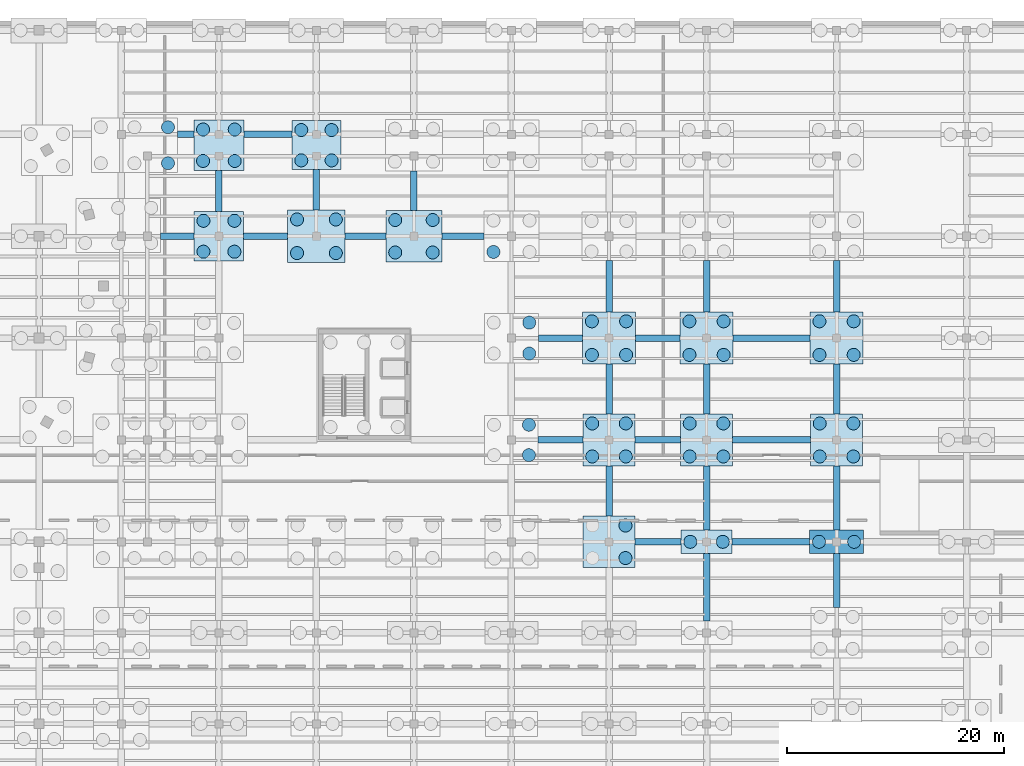
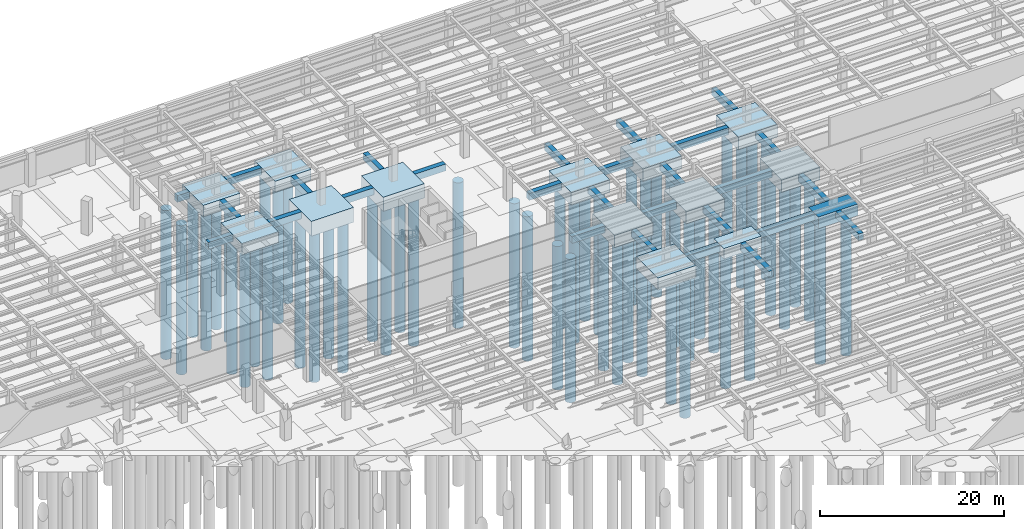
# One storey, part 12 of 49: 57 piles, 42 footings.
"""IFC4 building model written with IfcOpenShell, lengths in metres."""

from ifc_helpers import new_model, si_unit, direction, frame, origin, origin_2d, place, context, subcontext, project, spatial, rectangle, circle, extrude, material, material_profile, profile_set, type_object, element, save


model = new_model("IFC4")

# Units and contexts
model_context = context("Model", 3, precision=1e-05, world=origin(), true_north=direction((0.0, 1.0)))
body_context = subcontext(model_context, "Body", "Model", "MODEL_VIEW")
ifc_project = project(units=[si_unit("LENGTHUNIT", "METRE"), si_unit("AREAUNIT", "SQUARE_METRE"), si_unit("VOLUMEUNIT", "CUBIC_METRE"), si_unit("PLANEANGLEUNIT", "RADIAN"), si_unit("MASSUNIT", "GRAM", prefix="KILO")], contexts=[model_context])

# Site, building, storey
site_placement = place(None, origin())
site = spatial("IfcSite", under=ifc_project, at=site_placement, CompositionType="ELEMENT")
building_placement = place(site_placement, origin())
building = spatial("IfcBuilding", under=site, at=building_placement, Name="Sollismere Congress Hotel", CompositionType="ELEMENT")
storey_placement = place(building_placement, frame((0.0, 0.0, -4.5)))
storey = spatial("IfcBuildingStorey", under=building, at=storey_placement, Name="B1", CompositionType="ELEMENT", Elevation=-4.5)

# Footings
ifc_material = material(Name="Concrete C40/50", Category="concrete")
footing_type_1 = type_object("IfcFootingType", Name="FT-GB600", PredefinedType="FOOTING_BEAM", material=ifc_material)
footing_1_placement = place(storey_placement, frame((107.510009765625, 66.800048828125, -0.89990234375), z_axis=(0.0, 0.0, 1.0), x_axis=(1.0, 0.0, 0.0)))
element("IfcFooting", 1, at=footing_1_placement, inside=storey, type_object=footing_type_1, Name="FTG-GB-125", PredefinedType="FOOTING_BEAM", context=body_context, shape_type="SweptSolid", body=[
    extrude(rectangle(XDim=4.260009765625, YDim=0.60009765625, at=origin_2d()), origin(), (0.0, 0.0, 1.0), 0.89990234375),
])
footing_2_placement = place(storey_placement, frame((117.93994140625, 66.800048828125, -0.89990234375), z_axis=(0.0, 0.0, 1.0), x_axis=(1.0, 0.0, 0.0)))
element("IfcFooting", 2, at=footing_2_placement, inside=storey, type_object=footing_type_1, Name="FTG-GB-126", PredefinedType="FOOTING_BEAM", context=body_context, shape_type="SweptSolid", body=[
    extrude(rectangle(XDim=7.159912109375, YDim=0.60009765625, at=origin_2d()), origin(), (0.0, 0.0, 1.0), 0.89990234375),
])
footing_3_placement = place(storey_placement, frame((98.530029296875, 76.199951171875, -0.89990234375), z_axis=(0.0, 0.0, 1.0), x_axis=(1.0, 0.0, 0.0)))
element("IfcFooting", 3, at=footing_3_placement, inside=storey, type_object=footing_type_1, Name="FTG-GB-141", PredefinedType="FOOTING_BEAM", context=body_context, shape_type="SweptSolid", body=[
    extrude(rectangle(XDim=4.1201171875, YDim=0.60009765625, at=origin_2d()), origin(), (0.0, 0.0, 1.0), 0.89990234375),
])
footing_4_placement = place(storey_placement, frame((107.5, 76.199951171875, -0.89990234375), z_axis=(0.0, 0.0, 1.0), x_axis=(1.0, 0.0, 0.0)))
element("IfcFooting", 4, at=footing_4_placement, inside=storey, type_object=footing_type_1, Name="FTG-GB-142", PredefinedType="FOOTING_BEAM", context=body_context, shape_type="SweptSolid", body=[
    extrude(rectangle(XDim=4.179931640625, YDim=0.60009765625, at=origin_2d()), origin(), (0.0, 0.0, 1.0), 0.89990234375),
])
footing_5_placement = place(storey_placement, frame((118.0, 76.199951171875, -0.89990234375), z_axis=(0.0, 0.0, 1.0), x_axis=(1.0, 0.0, 0.0)))
element("IfcFooting", 5, at=footing_5_placement, inside=storey, type_object=footing_type_1, Name="FTG-GB-143", PredefinedType="FOOTING_BEAM", context=body_context, shape_type="SweptSolid", body=[
    extrude(rectangle(XDim=7.179931640625, YDim=0.60009765625, at=origin_2d()), origin(), (0.0, 0.0, 1.0), 0.89990234375),
])
footing_6_placement = place(storey_placement, frame((98.530029296875, 85.60009765625, -0.89990234375), z_axis=(0.0, 0.0, 1.0), x_axis=(1.0, 0.0, 0.0)))
element("IfcFooting", 6, at=footing_6_placement, inside=storey, type_object=footing_type_1, Name="FTG-GB-157", PredefinedType="FOOTING_BEAM", context=body_context, shape_type="SweptSolid", body=[
    extrude(rectangle(XDim=4.06005859375, YDim=0.60009765625, at=origin_2d()), origin(), (0.0, 0.0, 1.0), 0.89990234375),
])
footing_7_placement = place(storey_placement, frame((107.5, 85.60009765625, -0.89990234375), z_axis=(0.0, 0.0, 1.0), x_axis=(1.0, 0.0, 0.0)))
element("IfcFooting", 7, at=footing_7_placement, inside=storey, type_object=footing_type_1, Name="FTG-GB-158", PredefinedType="FOOTING_BEAM", context=body_context, shape_type="SweptSolid", body=[
    extrude(rectangle(XDim=4.1201171875, YDim=0.60009765625, at=origin_2d()), origin(), (0.0, 0.0, 1.0), 0.89990234375),
])
footing_8_placement = place(storey_placement, frame((118.0, 85.60009765625, -0.89990234375), z_axis=(0.0, 0.0, 1.0), x_axis=(1.0, 0.0, 0.0)))
element("IfcFooting", 8, at=footing_8_placement, inside=storey, type_object=footing_type_1, Name="FTG-GB-159", PredefinedType="FOOTING_BEAM", context=body_context, shape_type="SweptSolid", body=[
    extrude(rectangle(XDim=7.1201171875, YDim=0.60009765625, at=origin_2d()), origin(), (0.0, 0.0, 1.0), 0.89990234375),
])
footing_9_placement = place(storey_placement, frame((63.162841796875, 95.0, -0.89990234375), z_axis=(0.0, 0.0, 1.0), x_axis=(1.0, 0.0, 0.0)))
element("IfcFooting", 9, at=footing_9_placement, inside=storey, type_object=footing_type_1, Name="FTG-GB-170", PredefinedType="FOOTING_BEAM", context=body_context, shape_type="SweptSolid", body=[
    extrude(rectangle(XDim=3.09423828125, YDim=0.60009765625, at=origin_2d()), origin(), (0.0, 0.0, 1.0), 0.89990234375),
])
footing_10_placement = place(storey_placement, frame((71.320068359375, 95.0, -0.89990234375), z_axis=(0.0, 0.0, 1.0), x_axis=(1.0, 0.0, 0.0)))
element("IfcFooting", 10, at=footing_10_placement, inside=storey, type_object=footing_type_1, Name="FTG-GB-171", PredefinedType="FOOTING_BEAM", context=body_context, shape_type="SweptSolid", body=[
    extrude(rectangle(XDim=4.06005859375, YDim=0.60009765625, at=origin_2d()), origin(), (0.0, 0.0, 1.0), 0.89990234375),
])
footing_11_placement = place(storey_placement, frame((80.530029296875, 95.0, -0.89990234375), z_axis=(0.0, 0.0, 1.0), x_axis=(1.0, 0.0, 0.0)))
element("IfcFooting", 11, at=footing_11_placement, inside=storey, type_object=footing_type_1, Name="FTG-GB-172", PredefinedType="FOOTING_BEAM", context=body_context, shape_type="SweptSolid", body=[
    extrude(rectangle(XDim=3.760009765625, YDim=0.60009765625, at=origin_2d()), origin(), (0.0, 0.0, 1.0), 0.89990234375),
])
footing_12_placement = place(storey_placement, frame((89.530029296875, 95.0, -0.89990234375), z_axis=(0.0, 0.0, 1.0), x_axis=(1.0, 0.0, 0.0)))
element("IfcFooting", 12, at=footing_12_placement, inside=storey, type_object=footing_type_1, Name="FTG-GB-173", PredefinedType="FOOTING_BEAM", context=body_context, shape_type="SweptSolid", body=[
    extrude(rectangle(XDim=3.8798828125, YDim=0.60009765625, at=origin_2d()), origin(), (0.0, 0.0, 1.0), 0.89990234375),
])
footing_13_placement = place(storey_placement, frame((63.919921875, 104.39990234375, -0.89990234375), z_axis=(0.0, 0.0, 1.0), x_axis=(1.0, 0.0, 0.0)))
element("IfcFooting", 13, at=footing_13_placement, inside=storey, type_object=footing_type_1, Name="FTG-GB-188", PredefinedType="FOOTING_BEAM", context=body_context, shape_type="SweptSolid", body=[
    extrude(rectangle(XDim=1.52001953125, YDim=0.60009765625, at=origin_2d()), origin(), (0.0, 0.0, 1.0), 0.89990234375),
])
footing_14_placement = place(storey_placement, frame((71.530029296875, 104.39990234375, -0.89990234375), z_axis=(0.0, 0.0, 1.0), x_axis=(1.0, 0.0, 0.0)))
element("IfcFooting", 14, at=footing_14_placement, inside=storey, type_object=footing_type_1, Name="FTG-GB-189", PredefinedType="FOOTING_BEAM", context=body_context, shape_type="SweptSolid", body=[
    extrude(rectangle(XDim=4.419921875, YDim=0.60009765625, at=origin_2d()), origin(), (0.0, 0.0, 1.0), 0.89990234375),
])
footing_15_placement = place(storey_placement, frame((67.0, 99.1875, -0.89990234375), z_axis=(0.0, 0.0, 1.0), x_axis=(0.0, 1.0, 0.0)))
element("IfcFooting", 15, at=footing_15_placement, inside=storey, type_object=footing_type_1, Name="FTG-GB-324", PredefinedType="FOOTING_BEAM", context=body_context, shape_type="SweptSolid", body=[
    extrude(rectangle(XDim=3.804931640625, YDim=0.60009765625, at=origin_2d()), origin(), (0.0, 0.0, 1.0), 0.89990234375),
])
footing_16_placement = place(storey_placement, frame((76.0, 99.27490234375, -0.89990234375), z_axis=(0.0, 0.0, 1.0), x_axis=(0.0, 1.0, 0.0)))
element("IfcFooting", 16, at=footing_16_placement, inside=storey, type_object=footing_type_1, Name="FTG-GB-334", PredefinedType="FOOTING_BEAM", context=body_context, shape_type="SweptSolid", body=[
    extrude(rectangle(XDim=3.72998046875, YDim=0.60009765625, at=origin_2d()), origin(), (0.0, 0.0, 1.0), 0.89990234375),
])
footing_17_placement = place(storey_placement, frame((85.0, 99.1875, -0.89990234375), z_axis=(0.0, 0.0, 1.0), x_axis=(0.0, 1.0, 0.0)))
element("IfcFooting", 17, at=footing_17_placement, inside=storey, type_object=footing_type_1, Name="FTG-GB-344", PredefinedType="FOOTING_BEAM", context=body_context, shape_type="SweptSolid", body=[
    extrude(rectangle(XDim=3.655029296875, YDim=0.60009765625, at=origin_2d()), origin(), (0.0, 0.0, 1.0), 0.89990234375),
])
footing_18_placement = place(storey_placement, frame((103.0, 71.487548828125, -0.89990234375), z_axis=(0.0, 0.0, 1.0), x_axis=(0.0, 1.0, 0.0)))
element("IfcFooting", 18, at=footing_18_placement, inside=storey, type_object=footing_type_1, Name="FTG-GB-365", PredefinedType="FOOTING_BEAM", context=body_context, shape_type="SweptSolid", body=[
    extrude(rectangle(XDim=4.655029296875, YDim=0.60009765625, at=origin_2d()), origin(), (0.0, 0.0, 1.0), 0.89990234375),
])
footing_19_placement = place(storey_placement, frame((103.0, 80.887451171875, -0.89990234375), z_axis=(0.0, 0.0, 1.0), x_axis=(0.0, 1.0, 0.0)))
element("IfcFooting", 19, at=footing_19_placement, inside=storey, type_object=footing_type_1, Name="FTG-GB-366", PredefinedType="FOOTING_BEAM", context=body_context, shape_type="SweptSolid", body=[
    extrude(rectangle(XDim=4.60498046875, YDim=0.60009765625, at=origin_2d()), origin(), (0.0, 0.0, 1.0), 0.89990234375),
])
footing_20_placement = place(storey_placement, frame((103.0, 90.375, -0.89990234375), z_axis=(0.0, 0.0, 1.0), x_axis=(0.0, 1.0, 0.0)))
element("IfcFooting", 20, at=footing_20_placement, inside=storey, type_object=footing_type_1, Name="FTG-GB-367", PredefinedType="FOOTING_BEAM", context=body_context, shape_type="SweptSolid", body=[
    extrude(rectangle(XDim=4.72998046875, YDim=0.60009765625, at=origin_2d()), origin(), (0.0, 0.0, 1.0), 0.89990234375),
])
footing_21_placement = place(storey_placement, frame((112.0, 62.58740234375, -0.89990234375), z_axis=(0.0, 0.0, 1.0), x_axis=(0.0, 1.0, 0.0)))
element("IfcFooting", 21, at=footing_21_placement, inside=storey, type_object=footing_type_1, Name="FTG-GB-377", PredefinedType="FOOTING_BEAM", context=body_context, shape_type="SweptSolid", body=[
    extrude(rectangle(XDim=6.22509765625, YDim=0.60009765625, at=origin_2d()), origin(), (0.0, 0.0, 1.0), 0.89990234375),
])
footing_22_placement = place(storey_placement, frame((112.0, 70.857421875, -0.89990234375), z_axis=(0.0, 0.0, 1.0), x_axis=(0.0, 1.0, 0.0)))
element("IfcFooting", 22, at=footing_22_placement, inside=storey, type_object=footing_type_1, Name="FTG-GB-378", PredefinedType="FOOTING_BEAM", context=body_context, shape_type="SweptSolid", body=[
    extrude(rectangle(XDim=5.9150390625, YDim=0.60009765625, at=origin_2d()), origin(), (0.0, 0.0, 1.0), 0.89990234375),
])
footing_23_placement = place(storey_placement, frame((112.0, 80.887451171875, -0.89990234375), z_axis=(0.0, 0.0, 1.0), x_axis=(0.0, 1.0, 0.0)))
element("IfcFooting", 23, at=footing_23_placement, inside=storey, type_object=footing_type_1, Name="FTG-GB-379", PredefinedType="FOOTING_BEAM", context=body_context, shape_type="SweptSolid", body=[
    extrude(rectangle(XDim=4.60498046875, YDim=0.60009765625, at=origin_2d()), origin(), (0.0, 0.0, 1.0), 0.89990234375),
])
footing_24_placement = place(storey_placement, frame((112.0, 90.375, -0.89990234375), z_axis=(0.0, 0.0, 1.0), x_axis=(0.0, 1.0, 0.0)))
element("IfcFooting", 24, at=footing_24_placement, inside=storey, type_object=footing_type_1, Name="FTG-GB-380", PredefinedType="FOOTING_BEAM", context=body_context, shape_type="SweptSolid", body=[
    extrude(rectangle(XDim=4.72998046875, YDim=0.60009765625, at=origin_2d()), origin(), (0.0, 0.0, 1.0), 0.89990234375),
])
footing_25_placement = place(storey_placement, frame((124.0, 63.22998046875, -0.89990234375), z_axis=(0.0, 0.0, 1.0), x_axis=(0.0, 1.0, 0.0)))
element("IfcFooting", 25, at=footing_25_placement, inside=storey, type_object=footing_type_1, Name="FTG-GB-390", PredefinedType="FOOTING_BEAM", context=body_context, shape_type="SweptSolid", body=[
    extrude(rectangle(XDim=4.989990234375, YDim=0.60009765625, at=origin_2d()), origin(), (0.0, 0.0, 1.0), 0.89990234375),
])
footing_26_placement = place(storey_placement, frame((124.0, 70.844970703125, -0.89990234375), z_axis=(0.0, 0.0, 1.0), x_axis=(0.0, 1.0, 0.0)))
element("IfcFooting", 26, at=footing_26_placement, inside=storey, type_object=footing_type_1, Name="FTG-GB-391", PredefinedType="FOOTING_BEAM", context=body_context, shape_type="SweptSolid", body=[
    extrude(rectangle(XDim=5.93994140625, YDim=0.60009765625, at=origin_2d()), origin(), (0.0, 0.0, 1.0), 0.89990234375),
])
footing_27_placement = place(storey_placement, frame((124.0, 80.887451171875, -0.89990234375), z_axis=(0.0, 0.0, 1.0), x_axis=(0.0, 1.0, 0.0)))
element("IfcFooting", 27, at=footing_27_placement, inside=storey, type_object=footing_type_1, Name="FTG-GB-392", PredefinedType="FOOTING_BEAM", context=body_context, shape_type="SweptSolid", body=[
    extrude(rectangle(XDim=4.60498046875, YDim=0.60009765625, at=origin_2d()), origin(), (0.0, 0.0, 1.0), 0.89990234375),
])
footing_28_placement = place(storey_placement, frame((124.0, 90.375, -0.89990234375), z_axis=(0.0, 0.0, 1.0), x_axis=(0.0, 1.0, 0.0)))
element("IfcFooting", 28, at=footing_28_placement, inside=storey, type_object=footing_type_1, Name="FTG-GB-393", PredefinedType="FOOTING_BEAM", context=body_context, shape_type="SweptSolid", body=[
    extrude(rectangle(XDim=4.72998046875, YDim=0.60009765625, at=origin_2d()), origin(), (0.0, 0.0, 1.0), 0.89990234375),
])
footing_type_2 = type_object("IfcFootingType", Name="FT-PC2-03", PredefinedType="PILE_CAP", material=ifc_material)
footing_29_placement = place(storey_placement, frame((112.0, 66.800048828125, -1.3798828125), z_axis=(0.0, 0.0, 1.0), x_axis=(1.0, 0.0, 0.0)))
element("IfcFooting", 29, at=footing_29_placement, inside=storey, type_object=footing_type_2, Name="Reinforced concrete pile cap PC-173", PredefinedType="PILE_CAP", context=body_context, shape_type="SweptSolid", body=[
    extrude(rectangle(XDim=4.719970703125, YDim=2.199951171875, at=origin_2d()), origin(), (0.0, 0.0, 1.0), 1.3798828125),
])
footing_type_3 = type_object("IfcFootingType", Name="FT-PC2-07", PredefinedType="PILE_CAP", material=ifc_material)
footing_30_placement = place(storey_placement, frame((124.0, 66.800048828125, -1.5400390625), z_axis=(0.0, 0.0, 1.0), x_axis=(1.0, 0.0, 0.0)))
element("IfcFooting", 30, at=footing_30_placement, inside=storey, type_object=footing_type_3, Name="Reinforced concrete pile cap PC-187", PredefinedType="PILE_CAP", context=body_context, shape_type="SweptSolid", body=[
    extrude(rectangle(XDim=4.9599609375, YDim=2.14990234375, at=origin_2d()), origin(), (0.0, 0.0, 1.0), 1.5400390625),
])
footing_type_4 = type_object("IfcFootingType", Name="FT-PC4-01", PredefinedType="PILE_CAP", material=ifc_material)
footing_31_placement = place(storey_placement, frame((76.0, 103.39990234375, -1.4501953125), z_axis=(0.0, 0.0, 1.0), x_axis=(1.0, 0.0, 0.0)))
element("IfcFooting", 31, at=footing_31_placement, inside=storey, type_object=footing_type_4, Name="Reinforced concrete pile cap PC-127", PredefinedType="PILE_CAP", context=body_context, shape_type="SweptSolid", body=[
    extrude(rectangle(XDim=4.52001953125, YDim=4.52001953125, at=origin_2d()), origin(), (0.0, 0.0, 1.0), 1.449951171875),
])
footing_type_5 = type_object("IfcFootingType", Name="FT-PC4-02", PredefinedType="PILE_CAP", material=ifc_material)
footing_32_placement = place(storey_placement, frame((67.0, 95.0, -1.490234375), z_axis=(0.0, 0.0, 1.0), x_axis=(1.0, 0.0, 0.0)))
element("IfcFooting", 32, at=footing_32_placement, inside=storey, type_object=footing_type_5, Name="Reinforced concrete pile cap PC-114", PredefinedType="PILE_CAP", context=body_context, shape_type="SweptSolid", body=[
    extrude(rectangle(XDim=4.580078125, YDim=4.570068359375, at=origin_2d()), origin(), (0.0, 0.0, 1.0), 1.489990234375),
])
footing_type_6 = type_object("IfcFootingType", Name="FT-PC4-03", PredefinedType="PILE_CAP", material=ifc_material)
footing_33_placement = place(storey_placement, frame((67.0, 103.39990234375, -1.52978515625), z_axis=(0.0, 0.0, 1.0), x_axis=(1.0, 0.0, 0.0)))
element("IfcFooting", 33, at=footing_33_placement, inside=storey, type_object=footing_type_6, Name="Reinforced concrete pile cap PC-115", PredefinedType="PILE_CAP", context=body_context, shape_type="SweptSolid", body=[
    extrude(rectangle(XDim=4.639892578125, YDim=4.6201171875, at=origin_2d()), origin(), (0.0, 0.0, 1.0), 1.530029296875),
])
footing_type_7 = type_object("IfcFootingType", Name="FT-PC4-05", PredefinedType="PILE_CAP", material=ifc_material)
footing_34_placement = place(storey_placement, frame((103.0, 66.800048828125, -1.60986328125), z_axis=(0.0, 0.0, 1.0), x_axis=(1.0, 0.0, 0.0)))
element("IfcFooting", 34, at=footing_34_placement, inside=storey, type_object=footing_type_7, Name="Reinforced concrete pile cap PC-159", PredefinedType="PILE_CAP", context=body_context, shape_type="SweptSolid", body=[
    extrude(rectangle(XDim=4.760009765625, YDim=4.719970703125, at=origin_2d()), origin(), (0.0, 0.0, 1.0), 1.610107421875),
])
footing_type_8 = type_object("IfcFootingType", Name="FT-PC4-06", PredefinedType="PILE_CAP", material=ifc_material)
for number, where, z_axis, x_axis, name in (
    (35, (103.0, 76.199951171875, -1.64990234375), (0.0, 0.0, 1.0), (1.0, 0.0, 0.0), "Reinforced concrete pile cap PC-160"),
    (36, (112.0, 76.199951171875, -1.64990234375), (0.0, 0.0, 1.0), (1.0, 0.0, 0.0), "Reinforced concrete pile cap PC-174"),
    (37, (124.0, 76.199951171875, -1.64990234375), (0.0, 0.0, 1.0), (1.0, 0.0, 0.0), "Reinforced concrete pile cap PC-188"),
):
    element("IfcFooting", number, at=place(storey_placement, frame(where, z_axis=z_axis, x_axis=x_axis)), inside=storey, type_object=footing_type_8, Name=name, PredefinedType="PILE_CAP", context=body_context, shape_type="SweptSolid", body=[
        extrude(rectangle(XDim=4.820068359375, YDim=4.77001953125, at=origin_2d()), origin(), (0.0, 0.0, 1.0), 1.64990234375),
    ])
footing_type_9 = type_object("IfcFootingType", Name="FT-PC4-07", PredefinedType="PILE_CAP", material=ifc_material)
for number, where, z_axis, x_axis, name in (
    (38, (103.0, 85.60009765625, -1.68994140625), (0.0, 0.0, 1.0), (1.0, 0.0, 0.0), "Reinforced concrete pile cap PC-161"),
    (39, (112.0, 85.60009765625, -1.68994140625), (0.0, 0.0, 1.0), (1.0, 0.0, 0.0), "Reinforced concrete pile cap PC-175"),
    (40, (124.0, 85.60009765625, -1.68994140625), (0.0, 0.0, 1.0), (1.0, 0.0, 0.0), "Reinforced concrete pile cap PC-189"),
):
    element("IfcFooting", number, at=place(storey_placement, frame(where, z_axis=z_axis, x_axis=x_axis)), inside=storey, type_object=footing_type_9, Name=name, PredefinedType="PILE_CAP", context=body_context, shape_type="SweptSolid", body=[
        extrude(rectangle(XDim=4.8798828125, YDim=4.820068359375, at=origin_2d()), origin(), (0.0, 0.0, 1.0), 1.68994140625),
    ])
footing_type_10 = type_object("IfcFootingType", Name="FT-PC4-12", PredefinedType="PILE_CAP", material=ifc_material)
footing_35_placement = place(storey_placement, frame((85.0, 95.0, -1.89013671875), z_axis=(0.0, 0.0, 1.0), x_axis=(1.0, 0.0, 0.0)))
element("IfcFooting", 41, at=footing_35_placement, inside=storey, type_object=footing_type_10, Name="Reinforced concrete pile cap PC-138", PredefinedType="PILE_CAP", context=body_context, shape_type="SweptSolid", body=[
    extrude(rectangle(XDim=5.179931640625, YDim=4.719970703125, at=origin_2d()), origin(), (0.0, 0.0, 1.0), 1.889892578125),
])
footing_type_11 = type_object("IfcFootingType", Name="FT-PC4-14", PredefinedType="PILE_CAP", material=ifc_material)
footing_36_placement = place(storey_placement, frame((76.0, 95.0, -1.97021484375), z_axis=(0.0, 0.0, 1.0), x_axis=(1.0, 0.0, 0.0)))
element("IfcFooting", 42, at=footing_36_placement, inside=storey, type_object=footing_type_11, Name="Reinforced concrete pile cap PC-126", PredefinedType="PILE_CAP", context=body_context, shape_type="SweptSolid", body=[
    extrude(rectangle(XDim=5.300048828125, YDim=4.820068359375, at=origin_2d()), origin(), (0.0, 0.0, 1.0), 1.969970703125),
])

# Piles
ifc_material_profile = material_profile(ifc_material, circle(Radius=0.60009765625, at=origin_2d()), Name="CAISSON1200")
ifc_profile_set = profile_set([ifc_material_profile], Name="Concrete C40/50")
pile_type = type_object("IfcPileType", Name="PL-CS1200", PredefinedType="BORED", material=ifc_profile_set)
for number, where, z_axis, x_axis, name in (
    (43, (62.300048828125, 101.739990234375, -1.85009765625), (0.0, 0.0, -1.0), (1.0, 0.0, 0.0), "Bored rock-socketed caisson PL-309"),
    (44, (62.300048828125, 105.06005859375, -1.85009765625), (0.0, 0.0, -1.0), (1.0, 0.0, 0.0), "Bored rock-socketed caisson PL-312"),
):
    element("IfcPile", number, at=place(storey_placement, frame(where, z_axis=z_axis, x_axis=x_axis)), inside=storey, type_object=pile_type, Name=name, PredefinedType="BORED", context=body_context, shape_type="SweptSolid", body=[
        extrude(circle(Radius=0.60009765625, at=origin_2d()), origin(), (0.0, 0.0, 1.0), 19.800048828125),
    ])
for number, where, z_axis, x_axis, name in (
    (45, (65.570068359375, 93.574951171875, -1.389892578125), (0.0, 0.0, -1.0), (1.0, 0.0, 0.0), "Bored rock-socketed caisson PL-351"),
    (46, (68.429931640625, 93.574951171875, -1.389892578125), (0.0, 0.0, -1.0), (1.0, 0.0, 0.0), "Bored rock-socketed caisson PL-352"),
    (47, (65.570068359375, 96.425048828125, -1.389892578125), (0.0, 0.0, -1.0), (1.0, 0.0, 0.0), "Bored rock-socketed caisson PL-353"),
    (48, (68.429931640625, 96.425048828125, -1.389892578125), (0.0, 0.0, -1.0), (1.0, 0.0, 0.0), "Bored rock-socketed caisson PL-354"),
):
    element("IfcPile", number, at=place(storey_placement, frame(where, z_axis=z_axis, x_axis=x_axis)), inside=storey, type_object=pile_type, Name=name, PredefinedType="BORED", context=body_context, shape_type="SweptSolid", body=[
        extrude(circle(Radius=0.60009765625, at=origin_2d()), origin(), (0.0, 0.0, 1.0), 18.14990234375),
    ])
for number, where, z_axis, x_axis, name in (
    (49, (65.5400390625, 101.949951171875, -1.429931640625), (0.0, 0.0, -1.0), (1.0, 0.0, 0.0), "Bored rock-socketed caisson PL-355"),
    (50, (68.4599609375, 101.949951171875, -1.429931640625), (0.0, 0.0, -1.0), (1.0, 0.0, 0.0), "Bored rock-socketed caisson PL-356"),
    (51, (65.5400390625, 104.85009765625, -1.429931640625), (0.0, 0.0, -1.0), (1.0, 0.0, 0.0), "Bored rock-socketed caisson PL-357"),
    (52, (68.4599609375, 104.85009765625, -1.429931640625), (0.0, 0.0, -1.0), (1.0, 0.0, 0.0), "Bored rock-socketed caisson PL-358"),
):
    element("IfcPile", number, at=place(storey_placement, frame(where, z_axis=z_axis, x_axis=x_axis)), inside=storey, type_object=pile_type, Name=name, PredefinedType="BORED", context=body_context, shape_type="SweptSolid", body=[
        extrude(circle(Radius=0.60009765625, at=origin_2d()), origin(), (0.0, 0.0, 1.0), 18.300048828125),
    ])
for number, where, z_axis, x_axis, name in (
    (53, (74.2099609375, 93.449951171875, -1.8701171875), (0.0, 0.0, -1.0), (1.0, 0.0, 0.0), "Bored rock-socketed caisson PL-389"),
    (54, (77.7900390625, 93.449951171875, -1.8701171875), (0.0, 0.0, -1.0), (1.0, 0.0, 0.0), "Bored rock-socketed caisson PL-390"),
    (55, (74.2099609375, 96.550048828125, -1.8701171875), (0.0, 0.0, -1.0), (1.0, 0.0, 0.0), "Bored rock-socketed caisson PL-391"),
    (56, (77.7900390625, 96.550048828125, -1.8701171875), (0.0, 0.0, -1.0), (1.0, 0.0, 0.0), "Bored rock-socketed caisson PL-392"),
):
    element("IfcPile", number, at=place(storey_placement, frame(where, z_axis=z_axis, x_axis=x_axis)), inside=storey, type_object=pile_type, Name=name, PredefinedType="BORED", context=body_context, shape_type="SweptSolid", body=[
        extrude(circle(Radius=0.60009765625, at=origin_2d()), origin(), (0.0, 0.0, 1.0), 19.949951171875),
    ])
for number, where, z_axis, x_axis, name in (
    (57, (74.60009765625, 102.0, -1.35009765625), (0.0, 0.0, -1.0), (1.0, 0.0, 0.0), "Bored rock-socketed caisson PL-393"),
    (58, (77.39990234375, 102.0, -1.35009765625), (0.0, 0.0, -1.0), (1.0, 0.0, 0.0), "Bored rock-socketed caisson PL-394"),
    (59, (74.60009765625, 104.800048828125, -1.35009765625), (0.0, 0.0, -1.0), (1.0, 0.0, 0.0), "Bored rock-socketed caisson PL-395"),
    (60, (77.39990234375, 104.800048828125, -1.35009765625), (0.0, 0.0, -1.0), (1.0, 0.0, 0.0), "Bored rock-socketed caisson PL-396"),
):
    element("IfcPile", number, at=place(storey_placement, frame(where, z_axis=z_axis, x_axis=x_axis)), inside=storey, type_object=pile_type, Name=name, PredefinedType="BORED", context=body_context, shape_type="SweptSolid", body=[
        extrude(circle(Radius=0.60009765625, at=origin_2d()), origin(), (0.0, 0.0, 1.0), 18.0),
    ])
for number, where, z_axis, x_axis, name in (
    (61, (83.27001953125, 93.5, -1.7900390625), (0.0, 0.0, -1.0), (1.0, 0.0, 0.0), "Bored rock-socketed caisson PL-431"),
    (62, (86.72998046875, 93.5, -1.7900390625), (0.0, 0.0, -1.0), (1.0, 0.0, 0.0), "Bored rock-socketed caisson PL-432"),
    (63, (83.27001953125, 96.5, -1.7900390625), (0.0, 0.0, -1.0), (1.0, 0.0, 0.0), "Bored rock-socketed caisson PL-433"),
    (64, (86.72998046875, 96.5, -1.7900390625), (0.0, 0.0, -1.0), (1.0, 0.0, 0.0), "Bored rock-socketed caisson PL-434"),
):
    element("IfcPile", number, at=place(storey_placement, frame(where, z_axis=z_axis, x_axis=x_axis)), inside=storey, type_object=pile_type, Name=name, PredefinedType="BORED", context=body_context, shape_type="SweptSolid", body=[
        extrude(circle(Radius=0.60009765625, at=origin_2d()), origin(), (0.0, 0.0, 1.0), 19.64990234375),
    ])
for number, where, z_axis, x_axis, name in (
    (65, (95.610107421875, 74.800048828125, -1.6298828125), (0.0, 0.0, -1.0), (1.0, 0.0, 0.0), "Bored rock-socketed caisson PL-462"),
    (66, (95.610107421875, 77.60009765625, -1.6298828125), (0.0, 0.0, -1.0), (1.0, 0.0, 0.0), "Bored rock-socketed caisson PL-464"),
):
    element("IfcPile", number, at=place(storey_placement, frame(where, z_axis=z_axis, x_axis=x_axis)), inside=storey, type_object=pile_type, Name=name, PredefinedType="BORED", context=body_context, shape_type="SweptSolid", body=[
        extrude(circle(Radius=0.60009765625, at=origin_2d()), origin(), (0.0, 0.0, 1.0), 19.050048828125),
    ])
for number, where, z_axis, x_axis, name in (
    (67, (95.639892578125, 84.175048828125, -1.669921875), (0.0, 0.0, -1.0), (1.0, 0.0, 0.0), "Bored rock-socketed caisson PL-466"),
    (68, (95.639892578125, 87.02490234375, -1.669921875), (0.0, 0.0, -1.0), (1.0, 0.0, 0.0), "Bored rock-socketed caisson PL-468"),
):
    element("IfcPile", number, at=place(storey_placement, frame(where, z_axis=z_axis, x_axis=x_axis)), inside=storey, type_object=pile_type, Name=name, PredefinedType="BORED", context=body_context, shape_type="SweptSolid", body=[
        extrude(circle(Radius=0.60009765625, at=origin_2d()), origin(), (0.0, 0.0, 1.0), 19.199951171875),
    ])
pile_placement = place(storey_placement, frame((92.330078125, 93.550048828125, -1.7099609375), z_axis=(0.0, 0.0, -1.0), x_axis=(1.0, 0.0, 0.0)))
element("IfcPile", 69, at=pile_placement, inside=storey, type_object=pile_type, Name="Bored rock-socketed caisson PL-469", PredefinedType="BORED", context=body_context, shape_type="SweptSolid", body=[
    extrude(circle(Radius=0.60009765625, at=origin_2d()), origin(), (0.0, 0.0, 1.0), 19.35009765625),
])
for number, where, z_axis, x_axis, name in (
    (70, (104.52001953125, 65.300048828125, -1.510009765625), (0.0, 0.0, -1.0), (1.0, 0.0, 0.0), "Bored rock-socketed caisson PL-496"),
    (71, (104.52001953125, 68.300048828125, -1.510009765625), (0.0, 0.0, -1.0), (1.0, 0.0, 0.0), "Bored rock-socketed caisson PL-498"),
):
    element("IfcPile", number, at=place(storey_placement, frame(where, z_axis=z_axis, x_axis=x_axis)), inside=storey, type_object=pile_type, Name=name, PredefinedType="BORED", context=body_context, shape_type="SweptSolid", body=[
        extrude(circle(Radius=0.60009765625, at=origin_2d()), origin(), (0.0, 0.0, 1.0), 18.60009765625),
    ])
for number, where, z_axis, x_axis, name in (
    (72, (101.449951171875, 74.675048828125, -1.550048828125), (0.0, 0.0, -1.0), (1.0, 0.0, 0.0), "Bored rock-socketed caisson PL-499"),
    (73, (104.550048828125, 74.675048828125, -1.550048828125), (0.0, 0.0, -1.0), (1.0, 0.0, 0.0), "Bored rock-socketed caisson PL-500"),
    (74, (101.449951171875, 77.72509765625, -1.550048828125), (0.0, 0.0, -1.0), (1.0, 0.0, 0.0), "Bored rock-socketed caisson PL-501"),
    (75, (104.550048828125, 77.72509765625, -1.550048828125), (0.0, 0.0, -1.0), (1.0, 0.0, 0.0), "Bored rock-socketed caisson PL-502"),
):
    element("IfcPile", number, at=place(storey_placement, frame(where, z_axis=z_axis, x_axis=x_axis)), inside=storey, type_object=pile_type, Name=name, PredefinedType="BORED", context=body_context, shape_type="SweptSolid", body=[
        extrude(circle(Radius=0.60009765625, at=origin_2d()), origin(), (0.0, 0.0, 1.0), 18.75),
    ])
for number, where, z_axis, x_axis, name in (
    (76, (101.419921875, 84.050048828125, -1.590087890625), (0.0, 0.0, -1.0), (1.0, 0.0, 0.0), "Bored rock-socketed caisson PL-503"),
    (77, (104.580078125, 84.050048828125, -1.590087890625), (0.0, 0.0, -1.0), (1.0, 0.0, 0.0), "Bored rock-socketed caisson PL-504"),
    (78, (101.419921875, 87.14990234375, -1.590087890625), (0.0, 0.0, -1.0), (1.0, 0.0, 0.0), "Bored rock-socketed caisson PL-505"),
    (79, (104.580078125, 87.14990234375, -1.590087890625), (0.0, 0.0, -1.0), (1.0, 0.0, 0.0), "Bored rock-socketed caisson PL-506"),
):
    element("IfcPile", number, at=place(storey_placement, frame(where, z_axis=z_axis, x_axis=x_axis)), inside=storey, type_object=pile_type, Name=name, PredefinedType="BORED", context=body_context, shape_type="SweptSolid", body=[
        extrude(circle(Radius=0.60009765625, at=origin_2d()), origin(), (0.0, 0.0, 1.0), 18.89990234375),
    ])
for number, where, z_axis, x_axis, name in (
    (80, (110.5, 66.800048828125, -1.280029296875), (0.0, 0.0, -1.0), (1.0, 0.0, 0.0), "Bored rock-socketed caisson PL-545"),
    (81, (113.5, 66.800048828125, -1.280029296875), (0.0, 0.0, -1.0), (1.0, 0.0, 0.0), "Bored rock-socketed caisson PL-546"),
):
    element("IfcPile", number, at=place(storey_placement, frame(where, z_axis=z_axis, x_axis=x_axis)), inside=storey, type_object=pile_type, Name=name, PredefinedType="BORED", context=body_context, shape_type="SweptSolid", body=[
        extrude(circle(Radius=0.60009765625, at=origin_2d()), origin(), (0.0, 0.0, 1.0), 17.89990234375),
    ])
for number, where, z_axis, x_axis, name in (
    (82, (110.449951171875, 74.675048828125, -1.550048828125), (0.0, 0.0, -1.0), (1.0, 0.0, 0.0), "Bored rock-socketed caisson PL-547"),
    (83, (113.550048828125, 74.675048828125, -1.550048828125), (0.0, 0.0, -1.0), (1.0, 0.0, 0.0), "Bored rock-socketed caisson PL-548"),
    (84, (110.449951171875, 77.72509765625, -1.550048828125), (0.0, 0.0, -1.0), (1.0, 0.0, 0.0), "Bored rock-socketed caisson PL-549"),
    (85, (113.550048828125, 77.72509765625, -1.550048828125), (0.0, 0.0, -1.0), (1.0, 0.0, 0.0), "Bored rock-socketed caisson PL-550"),
):
    element("IfcPile", number, at=place(storey_placement, frame(where, z_axis=z_axis, x_axis=x_axis)), inside=storey, type_object=pile_type, Name=name, PredefinedType="BORED", context=body_context, shape_type="SweptSolid", body=[
        extrude(circle(Radius=0.60009765625, at=origin_2d()), origin(), (0.0, 0.0, 1.0), 18.75),
    ])
for number, where, z_axis, x_axis, name in (
    (86, (110.419921875, 84.050048828125, -1.590087890625), (0.0, 0.0, -1.0), (1.0, 0.0, 0.0), "Bored rock-socketed caisson PL-551"),
    (87, (113.580078125, 84.050048828125, -1.590087890625), (0.0, 0.0, -1.0), (1.0, 0.0, 0.0), "Bored rock-socketed caisson PL-552"),
    (88, (110.419921875, 87.14990234375, -1.590087890625), (0.0, 0.0, -1.0), (1.0, 0.0, 0.0), "Bored rock-socketed caisson PL-553"),
    (89, (113.580078125, 87.14990234375, -1.590087890625), (0.0, 0.0, -1.0), (1.0, 0.0, 0.0), "Bored rock-socketed caisson PL-554"),
):
    element("IfcPile", number, at=place(storey_placement, frame(where, z_axis=z_axis, x_axis=x_axis)), inside=storey, type_object=pile_type, Name=name, PredefinedType="BORED", context=body_context, shape_type="SweptSolid", body=[
        extrude(circle(Radius=0.60009765625, at=origin_2d()), origin(), (0.0, 0.0, 1.0), 18.89990234375),
    ])
for number, where, z_axis, x_axis, name in (
    (90, (122.3798828125, 66.800048828125, -1.43994140625), (0.0, 0.0, -1.0), (1.0, 0.0, 0.0), "Bored rock-socketed caisson PL-601"),
    (91, (125.6201171875, 66.800048828125, -1.43994140625), (0.0, 0.0, -1.0), (1.0, 0.0, 0.0), "Bored rock-socketed caisson PL-602"),
):
    element("IfcPile", number, at=place(storey_placement, frame(where, z_axis=z_axis, x_axis=x_axis)), inside=storey, type_object=pile_type, Name=name, PredefinedType="BORED", context=body_context, shape_type="SweptSolid", body=[
        extrude(circle(Radius=0.60009765625, at=origin_2d()), origin(), (0.0, 0.0, 1.0), 18.699951171875),
    ])
for number, where, z_axis, x_axis, name in (
    (92, (122.449951171875, 74.675048828125, -1.550048828125), (0.0, 0.0, -1.0), (1.0, 0.0, 0.0), "Bored rock-socketed caisson PL-603"),
    (93, (125.550048828125, 74.675048828125, -1.550048828125), (0.0, 0.0, -1.0), (1.0, 0.0, 0.0), "Bored rock-socketed caisson PL-604"),
    (94, (122.449951171875, 77.72509765625, -1.550048828125), (0.0, 0.0, -1.0), (1.0, 0.0, 0.0), "Bored rock-socketed caisson PL-605"),
    (95, (125.550048828125, 77.72509765625, -1.550048828125), (0.0, 0.0, -1.0), (1.0, 0.0, 0.0), "Bored rock-socketed caisson PL-606"),
):
    element("IfcPile", number, at=place(storey_placement, frame(where, z_axis=z_axis, x_axis=x_axis)), inside=storey, type_object=pile_type, Name=name, PredefinedType="BORED", context=body_context, shape_type="SweptSolid", body=[
        extrude(circle(Radius=0.60009765625, at=origin_2d()), origin(), (0.0, 0.0, 1.0), 18.75),
    ])
for number, where, z_axis, x_axis, name in (
    (96, (122.419921875, 84.050048828125, -1.590087890625), (0.0, 0.0, -1.0), (1.0, 0.0, 0.0), "Bored rock-socketed caisson PL-607"),
    (97, (125.580078125, 84.050048828125, -1.590087890625), (0.0, 0.0, -1.0), (1.0, 0.0, 0.0), "Bored rock-socketed caisson PL-608"),
    (98, (122.419921875, 87.14990234375, -1.590087890625), (0.0, 0.0, -1.0), (1.0, 0.0, 0.0), "Bored rock-socketed caisson PL-609"),
    (99, (125.580078125, 87.14990234375, -1.590087890625), (0.0, 0.0, -1.0), (1.0, 0.0, 0.0), "Bored rock-socketed caisson PL-610"),
):
    element("IfcPile", number, at=place(storey_placement, frame(where, z_axis=z_axis, x_axis=x_axis)), inside=storey, type_object=pile_type, Name=name, PredefinedType="BORED", context=body_context, shape_type="SweptSolid", body=[
        extrude(circle(Radius=0.60009765625, at=origin_2d()), origin(), (0.0, 0.0, 1.0), 18.89990234375),
    ])

save(model, "model.ifc")
